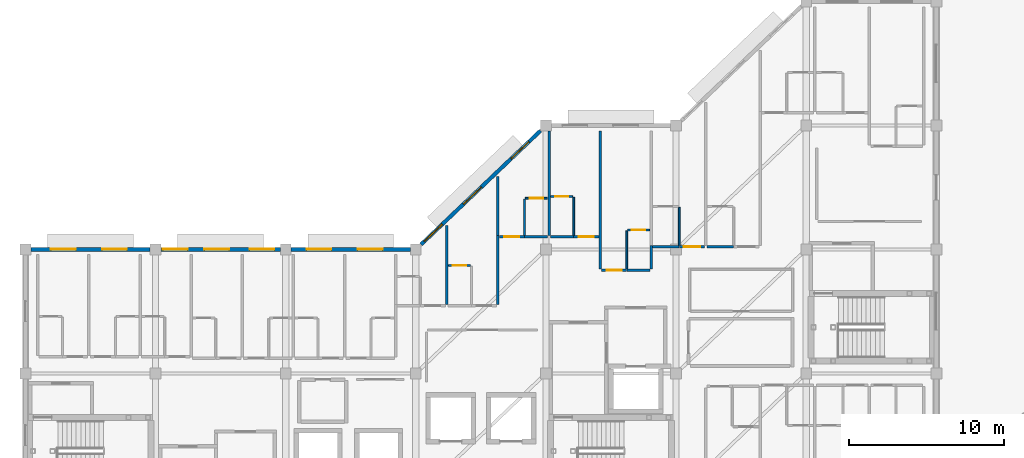
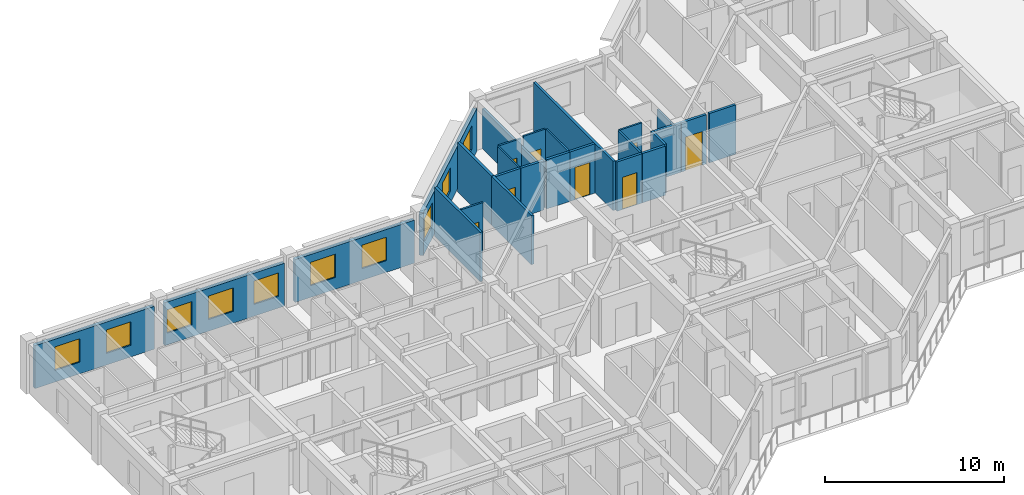
# One storey, part 11 of 16: 27 walls, 10 windows, 8 doors, 18 openings.
"""IFC4 building model written with IfcOpenShell, lengths in metres."""

from ifc_helpers import new_model, si_unit, direction, frame, frame_2d, origin, place, context, subcontext, project, spatial, rectangle, extrude, material, layer, layer_set, type_object, element, fill, save


model = new_model("IFC4")

# Units and contexts
model_context = context("Model", 3, precision=1e-05, world=origin(), true_north=direction((0.0, 1.0)))
body_context = subcontext(model_context, "Body", "Model", "MODEL_VIEW")
ifc_project = project(units=[si_unit("LENGTHUNIT", "METRE"), si_unit("AREAUNIT", "SQUARE_METRE"), si_unit("VOLUMEUNIT", "CUBIC_METRE"), si_unit("PLANEANGLEUNIT", "RADIAN"), si_unit("MASSUNIT", "GRAM", prefix="KILO")], contexts=[model_context])

# Site, building, storey
site_placement = place(None, origin())
site = spatial("IfcSite", under=ifc_project, at=site_placement, CompositionType="ELEMENT")
building_placement = place(site_placement, origin())
building = spatial("IfcBuilding", under=site, at=building_placement, Name="Naruveol Harbour Congress Hotel", CompositionType="ELEMENT")
storey_placement = place(building_placement, frame((0.0, 0.0, 28.800048828125)))
storey = spatial("IfcBuildingStorey", under=building, at=storey_placement, Name="L06", CompositionType="ELEMENT", Elevation=28.800048828125)

# Wall, opening, door
ifc_material_1 = material(Name="Moisture-Resistant Gypsum Partition", Category="gypsum")
ifc_layer_1 = layer(ifc_material_1, 0.114990234375)
ifc_layer_set_1 = layer_set([ifc_layer_1], Name="Moisture-Resistant Gypsum Partition")
wall_type_1 = type_object("IfcWallType", Name="BATHROOM MOISTURE PARTITION WALL 115", PredefinedType="PARTITIONING", material=ifc_layer_set_1)
wall_1_placement = place(storey_placement, frame((144.89990234375, 30.969970703125, 0.0), z_axis=(0.0, 0.0, 1.0), x_axis=(1.0, 0.0, 0.0)))
wall_1 = element("IfcWall", 1, at=wall_1_placement, inside=storey, type_object=wall_type_1, Name="Bathroom north wall 0778 PW-115", PredefinedType="PARTITIONING", context=body_context, shape_type="SweptSolid", body=[
    extrude(rectangle(XDim=1.43017578125, YDim=0.114990234375, at=frame_2d((0.715087890625, 0.0))), origin(), (0.0, 0.0, 1.0), 3.364990234375),
])
opening_1_placement = place(wall_1_placement, frame((0.284912109375, 0.0, 0.0)))
opening_1 = element("IfcOpeningElement", 2, at=opening_1_placement, cuts=wall_1, Name="Opening BD-RM0778", PredefinedType="OPENING", context=body_context, shape_type="SweptSolid", body=[
    extrude(rectangle(XDim=0.860107421875, YDim=2.1201171875, at=frame_2d((0.43017578125, 1.06005859375))), frame((0.0, 0.0673828125, 0.0), z_axis=(0.0, -1.0, 0.0), x_axis=(1.0, 0.0, 0.0)), (0.0, 0.0, 1.0), 0.135009765625),
])
ifc_material_2 = material(Name="Timber & Steel Acoustic Leaf", Category="steel")
door_type_1 = type_object("IfcDoorType", Name="GUEST BATHROOM DOOR 860X2120", OperationType="NOTDEFINED", PredefinedType="DOOR", material=ifc_material_2)
door_1_placement = place(opening_1_placement, origin())
door_1 = element("IfcDoor", 3, at=door_1_placement, inside=storey, type_object=door_type_1, Name="Bathroom Door 0778", OperationType="SINGLE_SWING_RIGHT", OverallHeight=2.1201171875, OverallWidth=0.860107421875, PredefinedType="DOOR", context=body_context, shape_type="SweptSolid", body=[
    extrude(rectangle(XDim=0.860107421875, YDim=2.1201171875, at=frame_2d((0.43017578125, 1.06005859375))), frame((0.0, 0.02490234375, 0.0), z_axis=(0.0, -1.0, 0.0), x_axis=(1.0, 0.0, 0.0)), (0.0, 0.0, 1.0), 0.050048828125),
])
fill(opening_1, door_1)

# Wall
wall_2_placement = place(storey_placement, frame((149.81005859375, 32.909912109375, 0.0), z_axis=(0.0, 0.0, 1.0), x_axis=(0.0, 1.0, 0.0)))
element("IfcWall", 4, at=wall_2_placement, inside=storey, type_object=wall_type_1, Name="Bathroom west wall 0779 PW-115", PredefinedType="PARTITIONING", context=body_context, shape_type="SweptSolid", body=[
    extrude(rectangle(XDim=2.340087890625, YDim=0.114990234375, at=frame_2d((1.169921875, 0.0))), origin(), (0.0, 0.0, 1.0), 3.364990234375),
])

# Wall, opening, door
wall_3_placement = place(storey_placement, frame((149.8701171875, 35.31005859375, 0.0), z_axis=(0.0, 0.0, 1.0), x_axis=(1.0, 0.0, 0.0)))
wall_3 = element("IfcWall", 5, at=wall_3_placement, inside=storey, type_object=wall_type_1, Name="Bathroom north wall 0779 PW-115", PredefinedType="PARTITIONING", context=body_context, shape_type="SweptSolid", body=[
    extrude(rectangle(XDim=1.429931640625, YDim=0.114990234375, at=frame_2d((0.71484375, 0.0))), origin(), (0.0, 0.0, 1.0), 3.364990234375),
])
opening_2_placement = place(wall_3_placement, frame((0.284912109375, 0.0, 0.0)))
opening_2 = element("IfcOpeningElement", 6, at=opening_2_placement, cuts=wall_3, Name="Opening BD-RM0779", PredefinedType="OPENING", context=body_context, shape_type="SweptSolid", body=[
    extrude(rectangle(XDim=0.860107421875, YDim=2.1201171875, at=frame_2d((0.43017578125, 1.06005859375))), frame((0.0, 0.0673828125, 0.0), z_axis=(0.0, -1.0, 0.0), x_axis=(1.0, 0.0, 0.0)), (0.0, 0.0, 1.0), 0.135009765625),
])
door_2_placement = place(opening_2_placement, origin())
door_2 = element("IfcDoor", 7, at=door_2_placement, inside=storey, type_object=door_type_1, Name="Bathroom Door 0779", OperationType="SINGLE_SWING_RIGHT", OverallHeight=2.1201171875, OverallWidth=0.860107421875, PredefinedType="DOOR", context=body_context, shape_type="SweptSolid", body=[
    extrude(rectangle(XDim=0.860107421875, YDim=2.1201171875, at=frame_2d((0.43017578125, 1.06005859375))), frame((0.0, 0.02490234375, 0.0), z_axis=(0.0, -1.0, 0.0), x_axis=(1.0, 0.0, 0.0)), (0.0, 0.0, 1.0), 0.050048828125),
])
fill(opening_2, door_2)

# Wall
wall_4_placement = place(storey_placement, frame((152.989990234375, 32.909912109375, 0.0), z_axis=(0.0, 0.0, 1.0), x_axis=(0.0, 1.0, 0.0)))
element("IfcWall", 8, at=wall_4_placement, inside=storey, type_object=wall_type_1, Name="Bathroom east wall 0780 PW-115", PredefinedType="PARTITIONING", context=body_context, shape_type="SweptSolid", body=[
    extrude(rectangle(XDim=2.4501953125, YDim=0.114990234375, at=frame_2d((1.22509765625, 0.0))), origin(), (0.0, 0.0, 1.0), 3.364990234375),
])

# Wall, opening, door
wall_5_placement = place(storey_placement, frame((151.5, 35.419921875, 0.0), z_axis=(0.0, 0.0, 1.0), x_axis=(1.0, 0.0, 0.0)))
wall_5 = element("IfcWall", 9, at=wall_5_placement, inside=storey, type_object=wall_type_1, Name="Bathroom north wall 0780 PW-115", PredefinedType="PARTITIONING", context=body_context, shape_type="SweptSolid", body=[
    extrude(rectangle(XDim=1.429931640625, YDim=0.114990234375, at=frame_2d((0.71484375, 0.0))), origin(), (0.0, 0.0, 1.0), 3.364990234375),
])
opening_3_placement = place(wall_5_placement, frame((0.284912109375, 0.0, 0.0)))
opening_3 = element("IfcOpeningElement", 10, at=opening_3_placement, cuts=wall_5, Name="Opening BD-RM0780", PredefinedType="OPENING", context=body_context, shape_type="SweptSolid", body=[
    extrude(rectangle(XDim=0.860107421875, YDim=2.1201171875, at=frame_2d((0.43017578125, 1.06005859375))), frame((0.0, 0.0673828125, 0.0), z_axis=(0.0, -1.0, 0.0), x_axis=(1.0, 0.0, 0.0)), (0.0, 0.0, 1.0), 0.135009765625),
])
door_3_placement = place(opening_3_placement, origin())
door_3 = element("IfcDoor", 11, at=door_3_placement, inside=storey, type_object=door_type_1, Name="Bathroom Door 0780", OperationType="SINGLE_SWING_RIGHT", OverallHeight=2.1201171875, OverallWidth=0.860107421875, PredefinedType="DOOR", context=body_context, shape_type="SweptSolid", body=[
    extrude(rectangle(XDim=0.860107421875, YDim=2.1201171875, at=frame_2d((0.43017578125, 1.06005859375))), frame((0.0, 0.02490234375, 0.0), z_axis=(0.0, -1.0, 0.0), x_axis=(1.0, 0.0, 0.0)), (0.0, 0.0, 1.0), 0.050048828125),
])
fill(opening_3, door_3)

# Wall
wall_6_placement = place(storey_placement, frame((156.409912109375, 30.75, 0.0), z_axis=(0.0, 0.0, 1.0), x_axis=(0.0, 1.0, 0.0)))
element("IfcWall", 12, at=wall_6_placement, inside=storey, type_object=wall_type_1, Name="Bathroom west wall 0781 PW-115", PredefinedType="PARTITIONING", context=body_context, shape_type="SweptSolid", body=[
    extrude(rectangle(XDim=2.449951171875, YDim=0.114990234375, at=frame_2d((1.22509765625, 0.0))), origin(), (0.0, 0.0, 1.0), 3.364990234375),
])

# Wall, opening, door
wall_7_placement = place(storey_placement, frame((156.469970703125, 33.260009765625, 0.0), z_axis=(0.0, 0.0, 1.0), x_axis=(1.0, 0.0, 0.0)))
wall_7 = element("IfcWall", 13, at=wall_7_placement, inside=storey, type_object=wall_type_1, Name="Bathroom north wall 0781 PW-115", PredefinedType="PARTITIONING", context=body_context, shape_type="SweptSolid", body=[
    extrude(rectangle(XDim=1.429931640625, YDim=0.114990234375, at=frame_2d((0.71484375, 0.0))), origin(), (0.0, 0.0, 1.0), 3.364990234375),
])
opening_4_placement = place(wall_7_placement, frame((0.284912109375, 0.0, 0.0)))
opening_4 = element("IfcOpeningElement", 14, at=opening_4_placement, cuts=wall_7, Name="Opening BD-RM0781", PredefinedType="OPENING", context=body_context, shape_type="SweptSolid", body=[
    extrude(rectangle(XDim=0.860107421875, YDim=2.1201171875, at=frame_2d((0.43017578125, 1.06005859375))), frame((0.0, 0.0673828125, 0.0), z_axis=(0.0, -1.0, 0.0), x_axis=(1.0, 0.0, 0.0)), (0.0, 0.0, 1.0), 0.135009765625),
])
door_4_placement = place(opening_4_placement, origin())
door_4 = element("IfcDoor", 15, at=door_4_placement, inside=storey, type_object=door_type_1, Name="Bathroom Door 0781", OperationType="SINGLE_SWING_RIGHT", OverallHeight=2.1201171875, OverallWidth=0.860107421875, PredefinedType="DOOR", context=body_context, shape_type="SweptSolid", body=[
    extrude(rectangle(XDim=0.860107421875, YDim=2.1201171875, at=frame_2d((0.43017578125, 1.06005859375))), frame((0.0, 0.02490234375, 0.0), z_axis=(0.0, -1.0, 0.0), x_axis=(1.0, 0.0, 0.0)), (0.0, 0.0, 1.0), 0.050048828125),
])
fill(opening_4, door_4)

# Walls
wall_8_placement = place(storey_placement, frame((159.81005859375, 32.260009765625, 0.0), z_axis=(0.0, 0.0, 1.0), x_axis=(0.0, 1.0, 0.0)))
element("IfcWall", 16, at=wall_8_placement, inside=storey, type_object=wall_type_1, Name="Bathroom east wall 0782 PW-115", PredefinedType="PARTITIONING", context=body_context, shape_type="SweptSolid", body=[
    extrude(rectangle(XDim=2.449951171875, YDim=0.114990234375, at=frame_2d((1.22509765625, 0.0))), origin(), (0.0, 0.0, 1.0), 2.72998046875),
])
ifc_material_3 = material(Name="Autoclaved Aerated Concrete Block", Category="concrete")
ifc_layer_2 = layer(ifc_material_3, 0.159912109375)
ifc_layer_set_2 = layer_set([ifc_layer_2], Name="Autoclaved Aerated Concrete Block")
wall_type_2 = type_object("IfcWallType", Name="HOTEL PARTY AND CORRIDOR WALL 160 EI60", PredefinedType="PARTITIONING", material=ifc_layer_set_2)
wall_9_placement = place(storey_placement, frame((144.800048828125, 28.4599609375, 0.0), z_axis=(0.0, 0.0, 1.0), x_axis=(0.0, 1.0, 0.0)))
element("IfcWall", 17, at=wall_9_placement, inside=storey, type_object=wall_type_2, Name="Hotel party wall 0778 PW-160", PredefinedType="PARTITIONING", context=body_context, shape_type="SweptSolid", body=[
    extrude(rectangle(XDim=5.10009765625, YDim=0.159912109375, at=frame_2d((2.550048828125, 0.0))), origin(), (0.0, 0.0, 1.0), 3.364990234375),
])
wall_10_placement = place(storey_placement, frame((148.10009765625, 28.4599609375, 0.0), z_axis=(0.0, 0.0, 1.0), x_axis=(0.0, 1.0, 0.0)))
element("IfcWall", 18, at=wall_10_placement, inside=storey, type_object=wall_type_2, Name="Hotel end party wall 0778 PW-160", PredefinedType="PARTITIONING", context=body_context, shape_type="SweptSolid", body=[
    extrude(rectangle(XDim=4.43994140625, YDim=0.159912109375, at=frame_2d((2.219970703125, 0.0))), origin(), (0.0, 0.0, 1.0), 3.364990234375),
])

# Wall, opening, door
wall_11_placement = place(storey_placement, frame((148.18994140625, 32.820068359375, 0.0), z_axis=(0.0, 0.0, 1.0), x_axis=(1.0, 0.0, 0.0)))
wall_11 = element("IfcWall", 19, at=wall_11_placement, inside=storey, type_object=wall_type_2, Name="Corridor entry wall 0779 PW-160", PredefinedType="PARTITIONING", context=body_context, shape_type="SweptSolid", body=[
    extrude(rectangle(XDim=1.6201171875, YDim=0.159912109375, at=frame_2d((0.81005859375, 0.0))), origin(), (0.0, 0.0, 1.0), 3.364990234375),
])
opening_5_placement = place(wall_11_placement, frame((0.330078125, 0.0, 0.0)))
opening_5 = element("IfcOpeningElement", 20, at=opening_5_placement, cuts=wall_11, Name="Opening FD-RM0779", PredefinedType="OPENING", context=body_context, shape_type="SweptSolid", body=[
    extrude(rectangle(XDim=0.9599609375, YDim=2.199951171875, at=frame_2d((0.47998046875, 1.10009765625))), frame((0.0, 0.08984375, 0.0), z_axis=(0.0, -1.0, 0.0), x_axis=(1.0, 0.0, 0.0)), (0.0, 0.0, 1.0), 0.179931640625),
])
ifc_material_4 = material(Name="Timber & Steel Acoustic Leaf", Category="steel")
door_type_2 = type_object("IfcDoorType", Name="GUEST ROOM ENTRANCE FIRE DOOR 960X2200", OperationType="NOTDEFINED", PredefinedType="DOOR", material=ifc_material_4)
door_5_placement = place(opening_5_placement, origin())
door_5 = element("IfcDoor", 21, at=door_5_placement, inside=storey, type_object=door_type_2, Name="Hotel Room Door 0779", OperationType="SINGLE_SWING_LEFT", OverallHeight=2.199951171875, OverallWidth=0.9599609375, PredefinedType="DOOR", context=body_context, shape_type="SweptSolid", body=[
    extrude(rectangle(XDim=0.9599609375, YDim=2.199951171875, at=frame_2d((0.47998046875, 1.10009765625))), frame((0.0, 0.02490234375, 0.0), z_axis=(0.0, -1.0, 0.0), x_axis=(1.0, 0.0, 0.0)), (0.0, 0.0, 1.0), 0.050048828125),
])
fill(opening_5, door_5)

# Walls
wall_12_placement = place(storey_placement, frame((149.820068359375, 32.820068359375, 0.0), z_axis=(0.0, 0.0, 1.0), x_axis=(1.0, 0.0, 0.0)))
element("IfcWall", 22, at=wall_12_placement, inside=storey, type_object=wall_type_2, Name="Corridor wall 0779B PW-160", PredefinedType="PARTITIONING", context=body_context, shape_type="SweptSolid", body=[
    extrude(rectangle(XDim=1.489990234375, YDim=0.159912109375, at=frame_2d((0.7451171875, 0.0))), origin(), (0.0, 0.0, 1.0), 3.364990234375),
])
wall_13_placement = place(storey_placement, frame((148.10009765625, 32.909912109375, 0.0), z_axis=(0.0, 0.0, 1.0), x_axis=(0.0, 1.0, 0.0)))
element("IfcWall", 23, at=wall_13_placement, inside=storey, type_object=wall_type_2, Name="Hotel party wall 0779 PW-160", PredefinedType="PARTITIONING", context=body_context, shape_type="SweptSolid", body=[
    extrude(rectangle(XDim=3.800048828125, YDim=0.159912109375, at=frame_2d((1.89990234375, 0.0))), origin(), (0.0, 0.0, 1.0), 3.364990234375),
])
wall_14_placement = place(storey_placement, frame((151.489990234375, 32.820068359375, 0.0), z_axis=(0.0, 0.0, 1.0), x_axis=(1.0, 0.0, 0.0)))
element("IfcWall", 24, at=wall_14_placement, inside=storey, type_object=wall_type_2, Name="Corridor wall 0780B PW-160", PredefinedType="PARTITIONING", context=body_context, shape_type="SweptSolid", body=[
    extrude(rectangle(XDim=1.489990234375, YDim=0.159912109375, at=frame_2d((0.7451171875, 0.0))), origin(), (0.0, 0.0, 1.0), 3.364990234375),
])

# Wall, opening, door
wall_15_placement = place(storey_placement, frame((152.989990234375, 32.820068359375, 0.0), z_axis=(0.0, 0.0, 1.0), x_axis=(1.0, 0.0, 0.0)))
wall_15 = element("IfcWall", 25, at=wall_15_placement, inside=storey, type_object=wall_type_2, Name="Corridor entry wall 0780 PW-160", PredefinedType="PARTITIONING", context=body_context, shape_type="SweptSolid", body=[
    extrude(rectangle(XDim=1.6201171875, YDim=0.159912109375, at=frame_2d((0.81005859375, 0.0))), origin(), (0.0, 0.0, 1.0), 3.364990234375),
])
opening_6_placement = place(wall_15_placement, frame((0.330078125, 0.0, 0.0)))
opening_6 = element("IfcOpeningElement", 26, at=opening_6_placement, cuts=wall_15, Name="Opening FD-RM0780", PredefinedType="OPENING", context=body_context, shape_type="SweptSolid", body=[
    extrude(rectangle(XDim=0.9599609375, YDim=2.199951171875, at=frame_2d((0.47998046875, 1.10009765625))), frame((0.0, 0.08984375, 0.0), z_axis=(0.0, -1.0, 0.0), x_axis=(1.0, 0.0, 0.0)), (0.0, 0.0, 1.0), 0.179931640625),
])
door_6_placement = place(opening_6_placement, origin())
door_6 = element("IfcDoor", 27, at=door_6_placement, inside=storey, type_object=door_type_2, Name="Hotel Room Door 0780", OperationType="SINGLE_SWING_LEFT", OverallHeight=2.199951171875, OverallWidth=0.9599609375, PredefinedType="DOOR", context=body_context, shape_type="SweptSolid", body=[
    extrude(rectangle(XDim=0.9599609375, YDim=2.199951171875, at=frame_2d((0.47998046875, 1.10009765625))), frame((0.0, 0.02490234375, 0.0), z_axis=(0.0, -1.0, 0.0), x_axis=(1.0, 0.0, 0.0)), (0.0, 0.0, 1.0), 0.050048828125),
])
fill(opening_6, door_6)

# Wall
wall_16_placement = place(storey_placement, frame((151.39990234375, 32.909912109375, 0.0), z_axis=(0.0, 0.0, 1.0), x_axis=(0.0, 1.0, 0.0)))
element("IfcWall", 28, at=wall_16_placement, inside=storey, type_object=wall_type_2, Name="Hotel party wall 0780 PW-160", PredefinedType="PARTITIONING", context=body_context, shape_type="SweptSolid", body=[
    extrude(rectangle(XDim=6.75, YDim=0.159912109375, at=frame_2d((3.375, 0.0))), origin(), (0.0, 0.0, 1.0), 2.72998046875),
])

# Wall, opening, door
wall_17_placement = place(storey_placement, frame((154.7900390625, 30.659912109375, 0.0), z_axis=(0.0, 0.0, 1.0), x_axis=(1.0, 0.0, 0.0)))
wall_17 = element("IfcWall", 29, at=wall_17_placement, inside=storey, type_object=wall_type_2, Name="Corridor entry wall 0781 PW-160", PredefinedType="PARTITIONING", context=body_context, shape_type="SweptSolid", body=[
    extrude(rectangle(XDim=1.619873046875, YDim=0.159912109375, at=frame_2d((0.81005859375, 0.0))), origin(), (0.0, 0.0, 1.0), 3.364990234375),
])
opening_7_placement = place(wall_17_placement, frame((0.330078125, 0.0, 0.0)))
opening_7 = element("IfcOpeningElement", 30, at=opening_7_placement, cuts=wall_17, Name="Opening FD-RM0781", PredefinedType="OPENING", context=body_context, shape_type="SweptSolid", body=[
    extrude(rectangle(XDim=0.9599609375, YDim=2.199951171875, at=frame_2d((0.47998046875, 1.10009765625))), frame((0.0, 0.08984375, 0.0), z_axis=(0.0, -1.0, 0.0), x_axis=(1.0, 0.0, 0.0)), (0.0, 0.0, 1.0), 0.179931640625),
])
door_7_placement = place(opening_7_placement, origin())
door_7 = element("IfcDoor", 31, at=door_7_placement, inside=storey, type_object=door_type_2, Name="Hotel Room Door 0781", OperationType="SINGLE_SWING_LEFT", OverallHeight=2.199951171875, OverallWidth=0.9599609375, PredefinedType="DOOR", context=body_context, shape_type="SweptSolid", body=[
    extrude(rectangle(XDim=0.9599609375, YDim=2.199951171875, at=frame_2d((0.47998046875, 1.10009765625))), frame((0.0, 0.02490234375, 0.0), z_axis=(0.0, -1.0, 0.0), x_axis=(1.0, 0.0, 0.0)), (0.0, 0.0, 1.0), 0.050048828125),
])
fill(opening_7, door_7)

# Walls
wall_18_placement = place(storey_placement, frame((156.419921875, 30.659912109375, 0.0), z_axis=(0.0, 0.0, 1.0), x_axis=(1.0, 0.0, 0.0)))
element("IfcWall", 32, at=wall_18_placement, inside=storey, type_object=wall_type_2, Name="Corridor wall 0781B PW-160", PredefinedType="PARTITIONING", context=body_context, shape_type="SweptSolid", body=[
    extrude(rectangle(XDim=1.489990234375, YDim=0.159912109375, at=frame_2d((0.7451171875, 0.0))), origin(), (0.0, 0.0, 1.0), 3.364990234375),
])
wall_19_placement = place(storey_placement, frame((154.699951171875, 30.75, 0.0), z_axis=(0.0, 0.0, 1.0), x_axis=(0.0, 1.0, 0.0)))
element("IfcWall", 33, at=wall_19_placement, inside=storey, type_object=wall_type_2, Name="Hotel party wall 0781 PW-160", PredefinedType="PARTITIONING", context=body_context, shape_type="SweptSolid", body=[
    extrude(rectangle(XDim=8.909912109375, YDim=0.159912109375, at=frame_2d((4.455078125, 0.0))), origin(), (0.0, 0.0, 1.0), 3.364990234375),
])
wall_20_placement = place(storey_placement, frame((158.0, 30.75, 0.0), z_axis=(0.0, 0.0, 1.0), x_axis=(0.0, 1.0, 0.0)))
element("IfcWall", 34, at=wall_20_placement, inside=storey, type_object=wall_type_2, Name="Hotel end party wall 0781 PW-160", PredefinedType="PARTITIONING", context=body_context, shape_type="SweptSolid", body=[
    extrude(rectangle(XDim=1.5, YDim=0.159912109375, at=frame_2d((0.75, 0.0))), origin(), (0.0, 0.0, 1.0), 3.364990234375),
])
wall_21_placement = place(storey_placement, frame((158.090087890625, 32.169921875, 0.0), z_axis=(0.0, 0.0, 1.0), x_axis=(1.0, 0.0, 0.0)))
element("IfcWall", 35, at=wall_21_placement, inside=storey, type_object=wall_type_2, Name="Corridor wall 0782B PW-160", PredefinedType="PARTITIONING", context=body_context, shape_type="SweptSolid", body=[
    extrude(rectangle(XDim=1.7099609375, YDim=0.159912109375, at=frame_2d((0.85498046875, 0.0))), origin(), (0.0, 0.0, 1.0), 3.364990234375),
])

# Wall, opening, door
wall_22_placement = place(storey_placement, frame((159.81005859375, 32.169921875, 0.0), z_axis=(0.0, 0.0, 1.0), x_axis=(1.0, 0.0, 0.0)))
wall_22 = element("IfcWall", 36, at=wall_22_placement, inside=storey, type_object=wall_type_2, Name="Corridor entry wall 0782 PW-160", PredefinedType="PARTITIONING", context=body_context, shape_type="SweptSolid", body=[
    extrude(rectangle(XDim=1.619873046875, YDim=0.159912109375, at=frame_2d((0.81005859375, 0.0))), origin(), (0.0, 0.0, 1.0), 3.364990234375),
])
opening_8_placement = place(wall_22_placement, frame((0.27001953125, 0.0, 0.0)))
opening_8 = element("IfcOpeningElement", 37, at=opening_8_placement, cuts=wall_22, Name="Opening FD-RM0782", PredefinedType="OPENING", context=body_context, shape_type="SweptSolid", body=[
    extrude(rectangle(XDim=1.080078125, YDim=2.300048828125, at=frame_2d((0.5400390625, 1.14990234375))), frame((0.0, 0.08984375, 0.0), z_axis=(0.0, -1.0, 0.0), x_axis=(1.0, 0.0, 0.0)), (0.0, 0.0, 1.0), 0.179931640625),
])
ifc_material_5 = material(Name="Timber & Steel Acoustic Leaf", Category="steel")
door_type_3 = type_object("IfcDoorType", Name="SUITE ENTRANCE FIRE DOOR 1080X2300", OperationType="NOTDEFINED", PredefinedType="DOOR", material=ifc_material_5)
door_8_placement = place(opening_8_placement, origin())
door_8 = element("IfcDoor", 38, at=door_8_placement, inside=storey, type_object=door_type_3, Name="Hotel Room Door 0782", OperationType="SINGLE_SWING_LEFT", OverallHeight=2.300048828125, OverallWidth=1.080078125, PredefinedType="DOOR", context=body_context, shape_type="SweptSolid", body=[
    extrude(rectangle(XDim=1.080078125, YDim=2.300048828125, at=frame_2d((0.5400390625, 1.14990234375))), frame((0.0, 0.02490234375, 0.0), z_axis=(0.0, -1.0, 0.0), x_axis=(1.0, 0.0, 0.0)), (0.0, 0.0, 1.0), 0.050048828125),
])
fill(opening_8, door_8)

# Wall
wall_23_placement = place(storey_placement, frame((161.610107421875, 32.169921875, 0.0), z_axis=(0.0, 0.0, 1.0), x_axis=(1.0, 0.0, 0.0)))
element("IfcWall", 39, at=wall_23_placement, inside=storey, type_object=wall_type_2, Name="Corridor wall 0783B PW-160", PredefinedType="PARTITIONING", context=body_context, shape_type="SweptSolid", body=[
    extrude(rectangle(XDim=1.7099609375, YDim=0.159912109375, at=frame_2d((0.85498046875, 0.0))), origin(), (0.0, 0.0, 1.0), 3.364990234375),
])

# Wall, openings, windows
ifc_material_6 = material(Name="Concrete C40/50", Category="concrete")
ifc_layer_3 = layer(ifc_material_6, 0.239990234375)
ifc_layer_set_3 = layer_set([ifc_layer_3], Name="Concrete C40/50")
wall_type_3 = type_object("IfcWallType", Name="INSULATED HOTEL SPANDREL WALL 240", PredefinedType="SOLIDWALL", material=ifc_layer_set_3)
wall_24_placement = place(storey_placement, frame((117.949951171875, 32.0, 0.0), z_axis=(0.0, 0.0, 1.0), x_axis=(1.0, 0.0, 0.0)))
wall_24 = element("IfcWall", 40, at=wall_24_placement, inside=storey, type_object=wall_type_3, Name="Hotel north bay wall L06 EW-240", PredefinedType="SOLIDWALL", context=body_context, shape_type="SweptSolid", body=[
    extrude(rectangle(XDim=7.699951171875, YDim=0.239990234375, at=frame_2d((3.85009765625, 0.0))), origin(), (0.0, 0.0, 1.0), 2.929931640625),
])
opening_9_placement = place(wall_24_placement, frame((1.300048828125, 0.0, 0.800048828125)))
opening_9 = element("IfcOpeningElement", 41, at=opening_9_placement, cuts=wall_24, Name="Opening W-03", PredefinedType="OPENING", context=body_context, shape_type="SweptSolid", body=[
    extrude(rectangle(XDim=1.60009765625, YDim=1.60009765625, at=frame_2d((0.800048828125, 0.800048828125))), frame((0.0, 0.1298828125, 0.0), z_axis=(0.0, -1.0, 0.0), x_axis=(1.0, 0.0, 0.0)), (0.0, 0.0, 1.0), 0.260009765625),
])
opening_10_placement = place(wall_24_placement, frame((4.60009765625, 0.0, 0.800048828125)))
opening_10 = element("IfcOpeningElement", 42, at=opening_10_placement, cuts=wall_24, Name="Opening W-03", PredefinedType="OPENING", context=body_context, shape_type="SweptSolid", body=[
    extrude(rectangle(XDim=1.60009765625, YDim=1.60009765625, at=frame_2d((0.800048828125, 0.800048828125))), frame((0.0, 0.1298828125, 0.0), z_axis=(0.0, -1.0, 0.0), x_axis=(1.0, 0.0, 0.0)), (0.0, 0.0, 1.0), 0.260009765625),
])
ifc_material_7 = material(Name="Low-E Triple Glazing in Thermal Aluminium", Category="aluminium")
window_type = type_object("IfcWindowType", Name="DELUXE GUEST WINDOW 1600X1600", PartitioningType="SINGLE_PANEL", PredefinedType="WINDOW", material=ifc_material_7)
window_1_placement = place(opening_9_placement, origin())
window_1 = element("IfcWindow", 43, at=window_1_placement, inside=storey, type_object=window_type, Name="Window W-03 #347", OverallHeight=1.60009765625, OverallWidth=1.60009765625, PartitioningType="SINGLE_PANEL", PredefinedType="WINDOW", context=body_context, shape_type="SweptSolid", body=[
    extrude(rectangle(XDim=1.60009765625, YDim=1.60009765625, at=frame_2d((0.800048828125, 0.800048828125))), frame((0.0, 0.030029296875, 0.0), z_axis=(0.0, -1.0, 0.0), x_axis=(1.0, 0.0, 0.0)), (0.0, 0.0, 1.0), 0.06005859375),
])
fill(opening_9, window_1)
window_2_placement = place(opening_10_placement, origin())
window_2 = element("IfcWindow", 44, at=window_2_placement, inside=storey, type_object=window_type, Name="Window W-03 #348", OverallHeight=1.60009765625, OverallWidth=1.60009765625, PartitioningType="SINGLE_PANEL", PredefinedType="WINDOW", context=body_context, shape_type="SweptSolid", body=[
    extrude(rectangle(XDim=1.60009765625, YDim=1.60009765625, at=frame_2d((0.800048828125, 0.800048828125))), frame((0.0, 0.030029296875, 0.0), z_axis=(0.0, -1.0, 0.0), x_axis=(1.0, 0.0, 0.0)), (0.0, 0.0, 1.0), 0.06005859375),
])
fill(opening_10, window_2)

wall_25_placement = place(storey_placement, frame((126.35009765625, 32.0, 0.0), z_axis=(0.0, 0.0, 1.0), x_axis=(1.0, 0.0, 0.0)))
wall_25 = element("IfcWall", 45, at=wall_25_placement, inside=storey, type_object=wall_type_3, Name="Hotel north bay wall L06 EW-240", PredefinedType="SOLIDWALL", context=body_context, shape_type="SweptSolid", body=[
    extrude(rectangle(XDim=7.699951171875, YDim=0.239990234375, at=frame_2d((3.85009765625, 0.0))), origin(), (0.0, 0.0, 1.0), 2.929931640625),
])
opening_11_placement = place(wall_25_placement, frame((0.125, 0.0, 0.800048828125)))
opening_11 = element("IfcOpeningElement", 46, at=opening_11_placement, cuts=wall_25, Name="Opening W-03", PredefinedType="OPENING", context=body_context, shape_type="SweptSolid", body=[
    extrude(rectangle(XDim=1.60009765625, YDim=1.60009765625, at=frame_2d((0.800048828125, 0.800048828125))), frame((0.0, 0.1298828125, 0.0), z_axis=(0.0, -1.0, 0.0), x_axis=(1.0, 0.0, 0.0)), (0.0, 0.0, 1.0), 0.260009765625),
])
opening_12_placement = place(wall_25_placement, frame((2.800048828125, 0.0, 0.800048828125)))
opening_12 = element("IfcOpeningElement", 47, at=opening_12_placement, cuts=wall_25, Name="Opening W-03", PredefinedType="OPENING", context=body_context, shape_type="SweptSolid", body=[
    extrude(rectangle(XDim=1.60009765625, YDim=1.60009765625, at=frame_2d((0.800048828125, 0.800048828125))), frame((0.0, 0.1298828125, 0.0), z_axis=(0.0, -1.0, 0.0), x_axis=(1.0, 0.0, 0.0)), (0.0, 0.0, 1.0), 0.260009765625),
])
opening_13_placement = place(wall_25_placement, frame((5.72509765625, 0.0, 0.800048828125)))
opening_13 = element("IfcOpeningElement", 48, at=opening_13_placement, cuts=wall_25, Name="Opening W-03", PredefinedType="OPENING", context=body_context, shape_type="SweptSolid", body=[
    extrude(rectangle(XDim=1.60009765625, YDim=1.60009765625, at=frame_2d((0.800048828125, 0.800048828125))), frame((0.0, 0.1298828125, 0.0), z_axis=(0.0, -1.0, 0.0), x_axis=(1.0, 0.0, 0.0)), (0.0, 0.0, 1.0), 0.260009765625),
])
window_3_placement = place(opening_11_placement, origin())
window_3 = element("IfcWindow", 49, at=window_3_placement, inside=storey, type_object=window_type, Name="Window W-03 #351", OverallHeight=1.60009765625, OverallWidth=1.60009765625, PartitioningType="SINGLE_PANEL", PredefinedType="WINDOW", context=body_context, shape_type="SweptSolid", body=[
    extrude(rectangle(XDim=1.60009765625, YDim=1.60009765625, at=frame_2d((0.800048828125, 0.800048828125))), frame((0.0, 0.030029296875, 0.0), z_axis=(0.0, -1.0, 0.0), x_axis=(1.0, 0.0, 0.0)), (0.0, 0.0, 1.0), 0.06005859375),
])
fill(opening_11, window_3)
window_4_placement = place(opening_12_placement, origin())
window_4 = element("IfcWindow", 50, at=window_4_placement, inside=storey, type_object=window_type, Name="Window W-03 #352", OverallHeight=1.60009765625, OverallWidth=1.60009765625, PartitioningType="SINGLE_PANEL", PredefinedType="WINDOW", context=body_context, shape_type="SweptSolid", body=[
    extrude(rectangle(XDim=1.60009765625, YDim=1.60009765625, at=frame_2d((0.800048828125, 0.800048828125))), frame((0.0, 0.030029296875, 0.0), z_axis=(0.0, -1.0, 0.0), x_axis=(1.0, 0.0, 0.0)), (0.0, 0.0, 1.0), 0.06005859375),
])
fill(opening_12, window_4)
window_5_placement = place(opening_13_placement, origin())
window_5 = element("IfcWindow", 51, at=window_5_placement, inside=storey, type_object=window_type, Name="Window W-03 #353", OverallHeight=1.60009765625, OverallWidth=1.60009765625, PartitioningType="SINGLE_PANEL", PredefinedType="WINDOW", context=body_context, shape_type="SweptSolid", body=[
    extrude(rectangle(XDim=1.60009765625, YDim=1.60009765625, at=frame_2d((0.800048828125, 0.800048828125))), frame((0.0, 0.030029296875, 0.0), z_axis=(0.0, -1.0, 0.0), x_axis=(1.0, 0.0, 0.0)), (0.0, 0.0, 1.0), 0.06005859375),
])
fill(opening_13, window_5)

wall_26_placement = place(storey_placement, frame((134.75, 32.0, 0.0), z_axis=(0.0, 0.0, 1.0), x_axis=(1.0, 0.0, 0.0)))
wall_26 = element("IfcWall", 52, at=wall_26_placement, inside=storey, type_object=wall_type_3, Name="Hotel north bay wall L06 EW-240", PredefinedType="SOLIDWALL", context=body_context, shape_type="SweptSolid", body=[
    extrude(rectangle(XDim=7.699951171875, YDim=0.239990234375, at=frame_2d((3.85009765625, 0.0))), origin(), (0.0, 0.0, 1.0), 2.929931640625),
])
opening_14_placement = place(wall_26_placement, frame((1.0, 0.0, 0.800048828125)))
opening_14 = element("IfcOpeningElement", 53, at=opening_14_placement, cuts=wall_26, Name="Opening W-03", PredefinedType="OPENING", context=body_context, shape_type="SweptSolid", body=[
    extrude(rectangle(XDim=1.60009765625, YDim=1.60009765625, at=frame_2d((0.800048828125, 0.800048828125))), frame((0.0, 0.1298828125, 0.0), z_axis=(0.0, -1.0, 0.0), x_axis=(1.0, 0.0, 0.0)), (0.0, 0.0, 1.0), 0.260009765625),
])
opening_15_placement = place(wall_26_placement, frame((4.300048828125, 0.0, 0.800048828125)))
opening_15 = element("IfcOpeningElement", 54, at=opening_15_placement, cuts=wall_26, Name="Opening W-03", PredefinedType="OPENING", context=body_context, shape_type="SweptSolid", body=[
    extrude(rectangle(XDim=1.60009765625, YDim=1.60009765625, at=frame_2d((0.800048828125, 0.800048828125))), frame((0.0, 0.1298828125, 0.0), z_axis=(0.0, -1.0, 0.0), x_axis=(1.0, 0.0, 0.0)), (0.0, 0.0, 1.0), 0.260009765625),
])
window_6_placement = place(opening_14_placement, origin())
window_6 = element("IfcWindow", 55, at=window_6_placement, inside=storey, type_object=window_type, Name="Window W-03 #355", OverallHeight=1.60009765625, OverallWidth=1.60009765625, PartitioningType="SINGLE_PANEL", PredefinedType="WINDOW", context=body_context, shape_type="SweptSolid", body=[
    extrude(rectangle(XDim=1.60009765625, YDim=1.60009765625, at=frame_2d((0.800048828125, 0.800048828125))), frame((0.0, 0.030029296875, 0.0), z_axis=(0.0, -1.0, 0.0), x_axis=(1.0, 0.0, 0.0)), (0.0, 0.0, 1.0), 0.06005859375),
])
fill(opening_14, window_6)
window_7_placement = place(opening_15_placement, origin())
window_7 = element("IfcWindow", 56, at=window_7_placement, inside=storey, type_object=window_type, Name="Window W-03 #356", OverallHeight=1.60009765625, OverallWidth=1.60009765625, PartitioningType="SINGLE_PANEL", PredefinedType="WINDOW", context=body_context, shape_type="SweptSolid", body=[
    extrude(rectangle(XDim=1.60009765625, YDim=1.60009765625, at=frame_2d((0.800048828125, 0.800048828125))), frame((0.0, 0.030029296875, 0.0), z_axis=(0.0, -1.0, 0.0), x_axis=(1.0, 0.0, 0.0)), (0.0, 0.0, 1.0), 0.06005859375),
])
fill(opening_15, window_7)

wall_27_placement = place(storey_placement, frame((143.14990234375, 32.3330078125, 0.0), z_axis=(0.0, 0.0, 1.0), x_axis=(0.724116091282, 0.689678103427, 0.0)))
wall_27 = element("IfcWall", 57, at=wall_27_placement, inside=storey, type_object=wall_type_3, Name="Hotel north bay wall L06 EW-240", PredefinedType="SOLIDWALL", context=body_context, shape_type="SweptSolid", body=[
    extrude(rectangle(XDim=10.634033203125, YDim=0.239990234375, at=frame_2d((5.31689453125, 0.0))), origin(), (0.0, 0.0, 1.0), 2.929931640625),
])
opening_16_placement = place(wall_27_placement, frame((0.27001953125, 0.0, 0.800048828125)))
opening_16 = element("IfcOpeningElement", 58, at=opening_16_placement, cuts=wall_27, Name="Opening W-03", PredefinedType="OPENING", context=body_context, shape_type="SweptSolid", body=[
    extrude(rectangle(XDim=1.60009765625, YDim=1.60009765625, at=frame_2d((0.800048828125, 0.800048828125))), frame((0.0, 0.1298828125, 0.0), z_axis=(0.0, -1.0, 0.0), x_axis=(1.0, 0.0, 0.0)), (0.0, 0.0, 1.0), 0.260009765625),
])
opening_17_placement = place(wall_27_placement, frame((3.757080078125, 0.0, 0.800048828125)))
opening_17 = element("IfcOpeningElement", 59, at=opening_17_placement, cuts=wall_27, Name="Opening W-03", PredefinedType="OPENING", context=body_context, shape_type="SweptSolid", body=[
    extrude(rectangle(XDim=1.60009765625, YDim=1.60009765625, at=frame_2d((0.800048828125, 0.800048828125))), frame((0.0, 0.1298828125, 0.0), z_axis=(0.0, -1.0, 0.0), x_axis=(1.0, 0.0, 0.0)), (0.0, 0.0, 1.0), 0.260009765625),
])
opening_18_placement = place(wall_27_placement, frame((8.00390625, 0.0, 0.800048828125)))
opening_18 = element("IfcOpeningElement", 60, at=opening_18_placement, cuts=wall_27, Name="Opening W-03", PredefinedType="OPENING", context=body_context, shape_type="SweptSolid", body=[
    extrude(rectangle(XDim=1.60009765625, YDim=1.60009765625, at=frame_2d((0.800048828125, 0.800048828125))), frame((0.0, 0.1298828125, 0.0), z_axis=(0.0, -1.0, 0.0), x_axis=(1.0, 0.0, 0.0)), (0.0, 0.0, 1.0), 0.260009765625),
])
window_8_placement = place(opening_16_placement, origin())
window_8 = element("IfcWindow", 61, at=window_8_placement, inside=storey, type_object=window_type, Name="Window W-03 #359", OverallHeight=1.60009765625, OverallWidth=1.60009765625, PartitioningType="SINGLE_PANEL", PredefinedType="WINDOW", context=body_context, shape_type="SweptSolid", body=[
    extrude(rectangle(XDim=1.60009765625, YDim=1.60009765625, at=frame_2d((0.800048828125, 0.800048828125))), frame((0.0, 0.030029296875, 0.0), z_axis=(0.0, -1.0, 0.0), x_axis=(1.0, 0.0, 0.0)), (0.0, 0.0, 1.0), 0.06005859375),
])
fill(opening_16, window_8)
window_9_placement = place(opening_17_placement, origin())
window_9 = element("IfcWindow", 62, at=window_9_placement, inside=storey, type_object=window_type, Name="Window W-03 #360", OverallHeight=1.60009765625, OverallWidth=1.60009765625, PartitioningType="SINGLE_PANEL", PredefinedType="WINDOW", context=body_context, shape_type="SweptSolid", body=[
    extrude(rectangle(XDim=1.60009765625, YDim=1.60009765625, at=frame_2d((0.800048828125, 0.800048828125))), frame((0.0, 0.030029296875, 0.0), z_axis=(0.0, -1.0, 0.0), x_axis=(1.0, 0.0, 0.0)), (0.0, 0.0, 1.0), 0.06005859375),
])
fill(opening_17, window_9)
window_10_placement = place(opening_18_placement, origin())
window_10 = element("IfcWindow", 63, at=window_10_placement, inside=storey, type_object=window_type, Name="Window W-03 #361", OverallHeight=1.60009765625, OverallWidth=1.60009765625, PartitioningType="SINGLE_PANEL", PredefinedType="WINDOW", context=body_context, shape_type="SweptSolid", body=[
    extrude(rectangle(XDim=1.60009765625, YDim=1.60009765625, at=frame_2d((0.800048828125, 0.800048828125))), frame((0.0, 0.030029296875, 0.0), z_axis=(0.0, -1.0, 0.0), x_axis=(1.0, 0.0, 0.0)), (0.0, 0.0, 1.0), 0.06005859375),
])
fill(opening_18, window_10)

save(model, "model.ifc")
